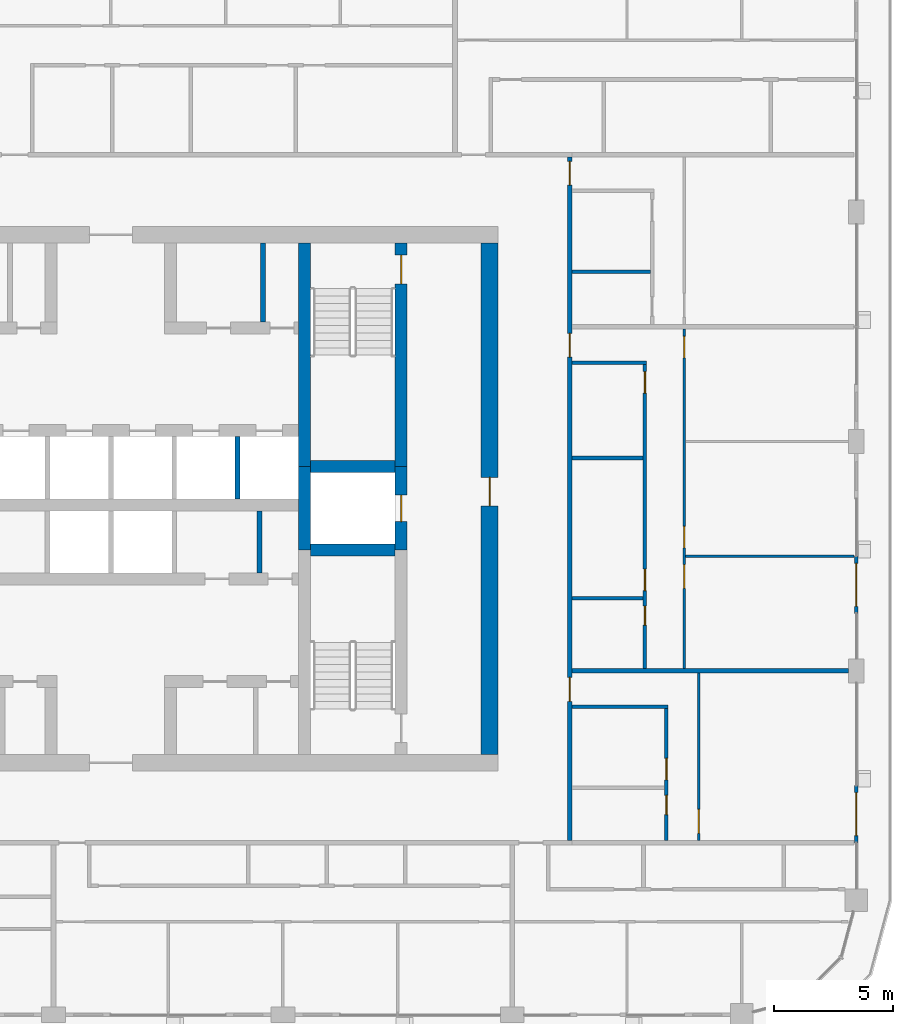
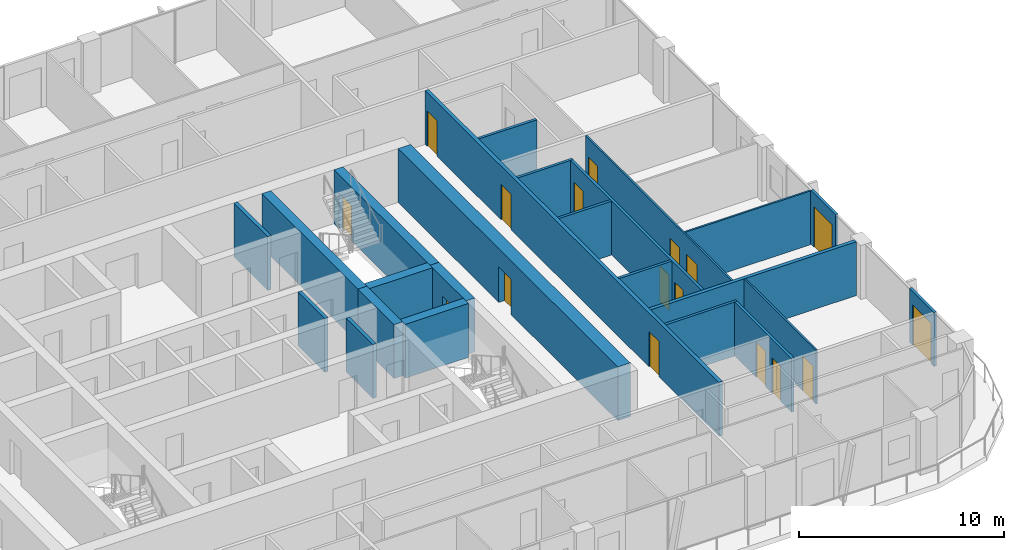
# One storey, part 13 of 23: 24 walls, 17 doors, 17 openings.
"""IFC4 building model written with IfcOpenShell, lengths in metres."""

from ifc_helpers import new_model, si_unit, direction, frame, frame_2d, origin, place, context, subcontext, project, spatial, rectangle, extrude, material, layer, layer_set, type_object, element, fill, save


model = new_model("IFC4")

# Units and contexts
model_context = context("Model", 3, precision=1e-05, world=origin(), true_north=direction((0.0, 1.0)))
body_context = subcontext(model_context, "Body", "Model", "MODEL_VIEW")
ifc_project = project(units=[si_unit("LENGTHUNIT", "METRE"), si_unit("AREAUNIT", "SQUARE_METRE"), si_unit("VOLUMEUNIT", "CUBIC_METRE"), si_unit("PLANEANGLEUNIT", "RADIAN"), si_unit("MASSUNIT", "GRAM", prefix="KILO")], contexts=[model_context])

# Site, building, storey
site_placement = place(None, origin())
site = spatial("IfcSite", under=ifc_project, at=site_placement, CompositionType="ELEMENT")
building_placement = place(site_placement, origin())
building = spatial("IfcBuilding", under=site, at=building_placement, Name="Madar Terraces", CompositionType="ELEMENT")
storey_placement = place(building_placement, frame((0.0, 0.0, 226.300048828125)))
storey = spatial("IfcBuildingStorey", under=building, at=storey_placement, Name="L59", CompositionType="ELEMENT", Elevation=226.300048828125)

# Walls
ifc_material_1 = material(Name="Concrete C60/75", Category="concrete")
ifc_layer_1 = layer(ifc_material_1, 0.5)
ifc_layer_set_1 = layer_set([ifc_layer_1], Name="Concrete C60/75 (CIW4 RC wall 500)")
wall_type_1 = type_object("IfcWallType", Name="CIW4 RC wall 500", PredefinedType="SHEAR", material=ifc_layer_set_1)
wall_1_placement = place(storey_placement, frame((39.300048828125, 24.25, 0.0), z_axis=(0.0, 0.0, 1.0), x_axis=(0.0, 1.0, 0.0)))
element("IfcWall", 1, at=wall_1_placement, inside=storey, type_object=wall_type_1, Name="CORE SHAFT WALL", PredefinedType="SHEAR", context=body_context, shape_type="SweptSolid", body=[
    extrude(rectangle(XDim=3.5, YDim=0.5, at=frame_2d((1.75, 0.0))), origin(), (0.0, 0.0, 1.0), 3.199951171875),
])
wall_2_placement = place(storey_placement, frame((39.300048828125, 27.75, 0.0), z_axis=(0.0, 0.0, 1.0), x_axis=(0.0, 1.0, 0.0)))
element("IfcWall", 2, at=wall_2_placement, inside=storey, type_object=wall_type_1, Name="CORE SHAFT WALL", PredefinedType="SHEAR", context=body_context, shape_type="SweptSolid", body=[
    extrude(rectangle(XDim=9.35009765625, YDim=0.5, at=frame_2d((4.675048828125, 0.0))), origin(), (0.0, 0.0, 1.0), 3.199951171875),
])

# Wall, opening, door
wall_3_placement = place(storey_placement, frame((43.35009765625, 24.25, 0.0), z_axis=(0.0, 0.0, 1.0), x_axis=(0.0, 1.0, 0.0)))
wall_3 = element("IfcWall", 3, at=wall_3_placement, inside=storey, type_object=wall_type_1, Name="CORE SHAFT WALL", PredefinedType="SHEAR", context=body_context, shape_type="SweptSolid", body=[
    extrude(rectangle(XDim=3.5, YDim=0.5, at=frame_2d((1.75, 0.0))), origin(), (0.0, 0.0, 1.0), 3.199951171875),
])
opening_1_placement = place(wall_3_placement, frame((1.199951171875, 0.0, 0.0)))
opening_1 = element("IfcOpeningElement", 4, at=opening_1_placement, cuts=wall_3, Name="Opening LD", PredefinedType="OPENING", context=body_context, shape_type="SweptSolid", body=[
    extrude(rectangle(XDim=1.10009765625, YDim=2.10009765625, at=frame_2d((0.550048828125, 1.050048828125))), frame((0.0, 0.260009765625, 0.0), z_axis=(0.0, -1.0, 0.0), x_axis=(1.0, 0.0, 0.0)), (0.0, 0.0, 1.0), 0.52001953125),
])
ifc_material_2 = material(Name="Stainless steel panel", Category="steel")
door_type_1 = type_object("IfcDoorType", Name="Lift landing door 1100 x 2100", OperationType="DOUBLE_DOOR_SLIDING", PredefinedType="DOOR", material=ifc_material_2)
door_1_placement = place(opening_1_placement, origin())
door_1 = element("IfcDoor", 5, at=door_1_placement, inside=storey, type_object=door_type_1, Name="LIFT LANDING DOOR", OperationType="DOUBLE_DOOR_SLIDING", OverallHeight=2.10009765625, OverallWidth=1.10009765625, PredefinedType="DOOR", context=body_context, shape_type="SweptSolid", body=[
    extrude(rectangle(XDim=1.10009765625, YDim=2.10009765625, at=frame_2d((0.550048828125, 1.050048828125))), frame((0.0, 0.02490234375, 0.0), z_axis=(0.0, -1.0, 0.0), x_axis=(1.0, 0.0, 0.0)), (0.0, 0.0, 1.0), 0.050048828125),
])
fill(opening_1, door_1)

wall_4_placement = place(storey_placement, frame((43.35009765625, 27.75, 0.0), z_axis=(0.0, 0.0, 1.0), x_axis=(0.0, 1.0, 0.0)))
wall_4 = element("IfcWall", 6, at=wall_4_placement, inside=storey, type_object=wall_type_1, Name="CORE SHAFT WALL", PredefinedType="SHEAR", context=body_context, shape_type="SweptSolid", body=[
    extrude(rectangle(XDim=9.35009765625, YDim=0.5, at=frame_2d((4.675048828125, 0.0))), origin(), (0.0, 0.0, 1.0), 3.199951171875),
])
opening_2_placement = place(wall_4_placement, frame((7.64990234375, 0.0, 0.0)))
opening_2 = element("IfcOpeningElement", 7, at=opening_2_placement, cuts=wall_4, Name="Opening SD1", PredefinedType="OPENING", context=body_context, shape_type="SweptSolid", body=[
    extrude(rectangle(XDim=1.199951171875, YDim=2.10009765625, at=frame_2d((0.60009765625, 1.050048828125))), frame((0.0, 0.260009765625, 0.0), z_axis=(0.0, -1.0, 0.0), x_axis=(1.0, 0.0, 0.0)), (0.0, 0.0, 1.0), 0.52001953125),
])
ifc_material_3 = material(Name="Steel door leaf", Category="steel")
door_type_2 = type_object("IfcDoorType", Name="Stair door 1200 x 2100", OperationType="NOTDEFINED", PredefinedType="DOOR", material=ifc_material_3)
door_2_placement = place(opening_2_placement, origin())
door_2 = element("IfcDoor", 8, at=door_2_placement, inside=storey, type_object=door_type_2, Name="STAIR DOOR", OperationType="SINGLE_SWING_LEFT", OverallHeight=2.10009765625, OverallWidth=1.199951171875, PredefinedType="DOOR", context=body_context, shape_type="SweptSolid", body=[
    extrude(rectangle(XDim=1.199951171875, YDim=2.10009765625, at=frame_2d((0.60009765625, 1.050048828125))), frame((0.0, 0.02490234375, 0.0), z_axis=(0.0, -1.0, 0.0), x_axis=(1.0, 0.0, 0.0)), (0.0, 0.0, 1.0), 0.050048828125),
])
fill(opening_2, door_2)

# Walls
for number, where, z_axis, x_axis, name in (
    (9, (39.550048828125, 24.25, 0.0), (0.0, 0.0, 1.0), (1.0, 0.0, 0.0), "CORE SHAFT WALL"),
    (10, (39.550048828125, 27.75, 0.0), (0.0, 0.0, 1.0), (1.0, 0.0, 0.0), "CORE SHAFT WALL"),
):
    element("IfcWall", number, at=place(storey_placement, frame(where, z_axis=z_axis, x_axis=x_axis)), inside=storey, type_object=wall_type_1, Name=name, PredefinedType="SHEAR", context=body_context, shape_type="SweptSolid", body=[
        extrude(rectangle(XDim=3.550048828125, YDim=0.5, at=frame_2d((1.77490234375, 0.0))), origin(), (0.0, 0.0, 1.0), 3.199951171875),
    ])

# Wall, opening, door
ifc_material_4 = material(Name="Concrete C60/75", Category="concrete")
ifc_layer_2 = layer(ifc_material_4, 0.699951171875)
ifc_layer_set_2 = layer_set([ifc_layer_2], Name="Concrete C60/75 (CRW4 RC wall 700)")
wall_type_2 = type_object("IfcWallType", Name="CRW4 RC wall 700", PredefinedType="SHEAR", material=ifc_layer_set_2)
wall_5_placement = place(storey_placement, frame((47.050048828125, 15.699951171875, 0.0), z_axis=(0.0, 0.0, 1.0), x_axis=(0.0, 1.0, 0.0)))
wall_5 = element("IfcWall", 11, at=wall_5_placement, inside=storey, type_object=wall_type_2, Name="CORE OUTER WALL", PredefinedType="SHEAR", context=body_context, shape_type="SweptSolid", body=[
    extrude(rectangle(XDim=21.400146484375, YDim=0.699951171875, at=frame_2d((10.7001953125, 0.0))), origin(), (0.0, 0.0, 1.0), 3.199951171875),
])
opening_3_placement = place(wall_5_placement, frame((10.39990234375, 0.0, 0.0)))
opening_3 = element("IfcOpeningElement", 12, at=opening_3_placement, cuts=wall_5, Name="Opening SD1", PredefinedType="OPENING", context=body_context, shape_type="SweptSolid", body=[
    extrude(rectangle(XDim=1.199951171875, YDim=2.10009765625, at=frame_2d((0.60009765625, 1.050048828125))), frame((0.0, 0.35986328125, 0.0), z_axis=(0.0, -1.0, 0.0), x_axis=(1.0, 0.0, 0.0)), (0.0, 0.0, 1.0), 0.719970703125),
])
door_3_placement = place(opening_3_placement, origin())
door_3 = element("IfcDoor", 13, at=door_3_placement, inside=storey, type_object=door_type_2, Name="STAIR DOOR", OperationType="SINGLE_SWING_LEFT", OverallHeight=2.10009765625, OverallWidth=1.199951171875, PredefinedType="DOOR", context=body_context, shape_type="SweptSolid", body=[
    extrude(rectangle(XDim=1.199951171875, YDim=2.10009765625, at=frame_2d((0.60009765625, 1.050048828125))), frame((0.0, 0.02490234375, 0.0), z_axis=(0.0, -1.0, 0.0), x_axis=(1.0, 0.0, 0.0)), (0.0, 0.0, 1.0), 0.050048828125),
])
fill(opening_3, door_3)

# Walls
ifc_material_5 = material(Name="Masonry blockwork", Category="masonry")
ifc_layer_3 = layer(ifc_material_5, 0.199951171875)
ifc_layer_set_3 = layer_set([ifc_layer_3], Name="Core partition 200 blockwork")
wall_type_3 = type_object("IfcWallType", Name="Core partition 200 blockwork", PredefinedType="PARTITIONING", material=ifc_layer_set_3)
wall_6_placement = place(storey_placement, frame((37.41796875, 23.300048828125, 0.0), z_axis=(0.0, 0.0, 1.0), x_axis=(0.0, 1.0, 0.0)))
element("IfcWall", 14, at=wall_6_placement, inside=storey, type_object=wall_type_3, Name="SERVICE ROOM PARTITION", PredefinedType="PARTITIONING", context=body_context, shape_type="SweptSolid", body=[
    extrude(rectangle(XDim=2.599853515625, YDim=0.199951171875, at=frame_2d((1.2998046875, 0.0))), origin(), (0.0, 0.0, 1.0), 3.199951171875),
])
wall_7_placement = place(storey_placement, frame((37.571044921875, 33.800048828125, 0.0), z_axis=(0.0, 0.0, 1.0), x_axis=(0.0, 1.0, 0.0)))
element("IfcWall", 15, at=wall_7_placement, inside=storey, type_object=wall_type_3, Name="SERVICE ROOM PARTITION", PredefinedType="PARTITIONING", context=body_context, shape_type="SweptSolid", body=[
    extrude(rectangle(XDim=3.300048828125, YDim=0.199951171875, at=frame_2d((1.64990234375, 0.0))), origin(), (0.0, 0.0, 1.0), 3.199951171875),
])
ifc_material_6 = material(Name="Concrete C40/50", Category="concrete")
ifc_layer_4 = layer(ifc_material_6, 0.199951171875)
ifc_layer_set_4 = layer_set([ifc_layer_4], Name="Core shaft dividing wall 200 C40/50")
wall_type_4 = type_object("IfcWallType", Name="Core shaft dividing wall 200 C40/50", PredefinedType="SOLIDWALL", material=ifc_layer_set_4)
wall_8_placement = place(storey_placement, frame((36.5, 26.39990234375, 0.0), z_axis=(0.0, 0.0, 1.0), x_axis=(0.0, 1.0, 0.0)))
element("IfcWall", 16, at=wall_8_placement, inside=storey, type_object=wall_type_4, Name="SHAFT DIVIDING WALL", PredefinedType="SOLIDWALL", context=body_context, shape_type="SweptSolid", body=[
    extrude(rectangle(XDim=2.60009765625, YDim=0.199951171875, at=frame_2d((1.300048828125, 0.0))), origin(), (0.0, 0.0, 1.0), 3.199951171875),
])

# Wall, opening, door
ifc_material_7 = material(Name="Aluminium composite panel, black, over insulated backing", Category="aluminium")
ifc_layer_5 = layer(ifc_material_7, 0.14990234375)
ifc_layer_set_5 = layer_set([ifc_layer_5], Name="Facade bay panel 150")
wall_type_5 = type_object("IfcWallType", Name="Facade bay panel 150", PredefinedType="SOLIDWALL", material=ifc_layer_set_5)
wall_9_placement = place(storey_placement, frame((62.39990234375, 12.0, 0.0), z_axis=(0.0, 0.0, 1.0), x_axis=(0.0, 1.0, 0.0)))
wall_9 = element("IfcWall", 17, at=wall_9_placement, inside=storey, type_object=wall_type_5, Name="Facade bay panel", PredefinedType="SOLIDWALL", context=body_context, shape_type="SweptSolid", body=[
    extrude(rectangle(XDim=2.39990234375, YDim=0.14990234375, at=frame_2d((1.199951171875, 0.0))), origin(), (0.0, 0.0, 1.0), 3.199951171875),
])
opening_4_placement = place(wall_9_placement, frame((0.300048828125, 0.0, 0.0)))
opening_4 = element("IfcOpeningElement", 18, at=opening_4_placement, cuts=wall_9, Name="Opening ED1", PredefinedType="OPENING", context=body_context, shape_type="SweptSolid", body=[
    extrude(rectangle(XDim=1.800048828125, YDim=2.39990234375, at=frame_2d((0.89990234375, 1.199951171875))), frame((0.0, 0.0849609375, 0.0), z_axis=(0.0, -1.0, 0.0), x_axis=(1.0, 0.0, 0.0)), (0.0, 0.0, 1.0), 0.169921875),
])
ifc_material_8 = material(Name="Glass, clear, with black aluminium frame", Category="aluminium")
door_type_3 = type_object("IfcDoorType", Name="Balcony and terrace sliding door 1800 x 2400", OperationType="SLIDING_TO_LEFT", PredefinedType="DOOR", material=ifc_material_8)
door_4_placement = place(opening_4_placement, origin())
door_4 = element("IfcDoor", 19, at=door_4_placement, inside=storey, type_object=door_type_3, Name="Balcony door", OperationType="SLIDING_TO_LEFT", OverallHeight=2.39990234375, OverallWidth=1.800048828125, PredefinedType="DOOR", context=body_context, shape_type="SweptSolid", body=[
    extrude(rectangle(XDim=1.800048828125, YDim=2.39990234375, at=frame_2d((0.89990234375, 1.199951171875))), frame((0.0, 0.02490234375, 0.0), z_axis=(0.0, -1.0, 0.0), x_axis=(1.0, 0.0, 0.0)), (0.0, 0.0, 1.0), 0.050048828125),
])
fill(opening_4, door_4)

wall_10_placement = place(storey_placement, frame((62.39990234375, 21.60009765625, 0.0), z_axis=(0.0, 0.0, 1.0), x_axis=(0.0, 1.0, 0.0)))
wall_10 = element("IfcWall", 20, at=wall_10_placement, inside=storey, type_object=wall_type_5, Name="Facade bay panel", PredefinedType="SOLIDWALL", context=body_context, shape_type="SweptSolid", body=[
    extrude(rectangle(XDim=2.39990234375, YDim=0.14990234375, at=frame_2d((1.199951171875, 0.0))), origin(), (0.0, 0.0, 1.0), 3.199951171875),
])
opening_5_placement = place(wall_10_placement, frame((0.300048828125, 0.0, 0.0)))
opening_5 = element("IfcOpeningElement", 21, at=opening_5_placement, cuts=wall_10, Name="Opening ED1", PredefinedType="OPENING", context=body_context, shape_type="SweptSolid", body=[
    extrude(rectangle(XDim=1.800048828125, YDim=2.39990234375, at=frame_2d((0.89990234375, 1.199951171875))), frame((0.0, 0.0849609375, 0.0), z_axis=(0.0, -1.0, 0.0), x_axis=(1.0, 0.0, 0.0)), (0.0, 0.0, 1.0), 0.169921875),
])
door_5_placement = place(opening_5_placement, origin())
door_5 = element("IfcDoor", 22, at=door_5_placement, inside=storey, type_object=door_type_3, Name="Balcony door", OperationType="SLIDING_TO_RIGHT", OverallHeight=2.39990234375, OverallWidth=1.800048828125, PredefinedType="DOOR", context=body_context, shape_type="SweptSolid", body=[
    extrude(rectangle(XDim=1.800048828125, YDim=2.39990234375, at=frame_2d((0.89990234375, 1.199951171875))), frame((0.0, 0.02490234375, 0.0), z_axis=(0.0, -1.0, 0.0), x_axis=(1.0, 0.0, 0.0)), (0.0, 0.0, 1.0), 0.050048828125),
])
fill(opening_5, door_5)

ifc_material_9 = material(Name="Gypsum board on steel studs", Category="steel")
ifc_layer_6 = layer(ifc_material_9, 0.10009765625)
ifc_layer_set_6 = layer_set([ifc_layer_6], Name="Flat partition 100")
wall_type_6 = type_object("IfcWallType", Name="Flat partition 100", PredefinedType="PARTITIONING", material=ifc_layer_set_6)
wall_11_placement = place(storey_placement, frame((55.800048828125, 19.10009765625, 0.0), z_axis=(0.0, 0.0, 1.0), x_axis=(0.0, -1.0, 0.0)))
wall_11 = element("IfcWall", 23, at=wall_11_placement, inside=storey, type_object=wall_type_6, Name="Flat partition 100", PredefinedType="PARTITIONING", context=body_context, shape_type="SweptSolid", body=[
    extrude(rectangle(XDim=7.0, YDim=0.10009765625, at=frame_2d((3.5, 0.0))), origin(), (0.0, 0.0, 1.0), 3.199951171875),
])
opening_6_placement = place(wall_11_placement, frame((5.699951171875, 0.0, 0.0)))
opening_6 = element("IfcOpeningElement", 24, at=opening_6_placement, cuts=wall_11, Name="Opening D3", PredefinedType="OPENING", context=body_context, shape_type="SweptSolid", body=[
    extrude(rectangle(XDim=1.0, YDim=2.10009765625, at=frame_2d((0.5, 1.050048828125))), frame((0.0, 0.06005859375, 0.0), z_axis=(0.0, -1.0, 0.0), x_axis=(1.0, 0.0, 0.0)), (0.0, 0.0, 1.0), 0.1201171875),
])
ifc_material_10 = material(Name="Timber door leaf", Category="wood")
door_type_4 = type_object("IfcDoorType", Name="Flat living room door 1000", OperationType="NOTDEFINED", PredefinedType="DOOR", material=ifc_material_10)
door_6_placement = place(opening_6_placement, origin())
door_6 = element("IfcDoor", 25, at=door_6_placement, inside=storey, type_object=door_type_4, Name="Flat living room door 1000", OperationType="SINGLE_SWING_RIGHT", OverallHeight=2.10009765625, OverallWidth=1.0, PredefinedType="DOOR", context=body_context, shape_type="SweptSolid", body=[
    extrude(rectangle(XDim=1.0, YDim=2.10009765625, at=frame_2d((0.5, 1.050048828125))), frame((0.0, 0.02490234375, 0.0), z_axis=(0.0, -1.0, 0.0), x_axis=(1.0, 0.0, 0.0)), (0.0, 0.0, 1.0), 0.050048828125),
])
fill(opening_6, door_6)

# Wall
wall_12_placement = place(storey_placement, frame((55.25, 24.0, 0.0), z_axis=(0.0, 0.0, 1.0), x_axis=(1.0, 0.0, 0.0)))
element("IfcWall", 26, at=wall_12_placement, inside=storey, type_object=wall_type_6, Name="Flat partition 100", PredefinedType="PARTITIONING", context=body_context, shape_type="SweptSolid", body=[
    extrude(rectangle(XDim=7.050048828125, YDim=0.10009765625, at=frame_2d((3.52490234375, 0.0))), origin(), (0.0, 0.0, 1.0), 3.199951171875),
])

# Wall, openings, doors
wall_13_placement = place(storey_placement, frame((55.199951171875, 33.5, 0.0), z_axis=(0.0, 0.0, 1.0), x_axis=(0.0, -1.0, 0.0)))
wall_13 = element("IfcWall", 27, at=wall_13_placement, inside=storey, type_object=wall_type_6, Name="Flat partition 100", PredefinedType="PARTITIONING", context=body_context, shape_type="SweptSolid", body=[
    extrude(rectangle(XDim=14.199951171875, YDim=0.10009765625, at=frame_2d((7.10009765625, 0.0))), origin(), (0.0, 0.0, 1.0), 3.199951171875),
])
opening_7_placement = place(wall_13_placement, frame((0.300048828125, 0.0, 0.0)))
opening_7 = element("IfcOpeningElement", 28, at=opening_7_placement, cuts=wall_13, Name="Opening D2", PredefinedType="OPENING", context=body_context, shape_type="SweptSolid", body=[
    extrude(rectangle(XDim=0.89990234375, YDim=2.10009765625, at=frame_2d((0.449951171875, 1.050048828125))), frame((0.0, 0.06005859375, 0.0), z_axis=(0.0, -1.0, 0.0), x_axis=(1.0, 0.0, 0.0)), (0.0, 0.0, 1.0), 0.1201171875),
])
opening_8_placement = place(wall_13_placement, frame((8.25, 0.0, 0.0)))
opening_8 = element("IfcOpeningElement", 29, at=opening_8_placement, cuts=wall_13, Name="Opening D2", PredefinedType="OPENING", context=body_context, shape_type="SweptSolid", body=[
    extrude(rectangle(XDim=0.89990234375, YDim=2.10009765625, at=frame_2d((0.449951171875, 1.050048828125))), frame((0.0, 0.06005859375, 0.0), z_axis=(0.0, -1.0, 0.0), x_axis=(1.0, 0.0, 0.0)), (0.0, 0.0, 1.0), 0.1201171875),
])
opening_9_placement = place(wall_13_placement, frame((9.85009765625, 0.0, 0.0)))
opening_9 = element("IfcOpeningElement", 30, at=opening_9_placement, cuts=wall_13, Name="Opening D3", PredefinedType="OPENING", context=body_context, shape_type="SweptSolid", body=[
    extrude(rectangle(XDim=1.0, YDim=2.10009765625, at=frame_2d((0.5, 1.050048828125))), frame((0.0, 0.06005859375, 0.0), z_axis=(0.0, -1.0, 0.0), x_axis=(1.0, 0.0, 0.0)), (0.0, 0.0, 1.0), 0.1201171875),
])
door_7_placement = place(opening_9_placement, origin())
door_7 = element("IfcDoor", 31, at=door_7_placement, inside=storey, type_object=door_type_4, Name="Flat living room door 1000", OperationType="SINGLE_SWING_LEFT", OverallHeight=2.10009765625, OverallWidth=1.0, PredefinedType="DOOR", context=body_context, shape_type="SweptSolid", body=[
    extrude(rectangle(XDim=1.0, YDim=2.10009765625, at=frame_2d((0.5, 1.050048828125))), frame((0.0, 0.02490234375, 0.0), z_axis=(0.0, -1.0, 0.0), x_axis=(1.0, 0.0, 0.0)), (0.0, 0.0, 1.0), 0.050048828125),
])
fill(opening_9, door_7)
ifc_material_11 = material(Name="Timber door leaf", Category="wood")
door_type_5 = type_object("IfcDoorType", Name="Flat room door 900", OperationType="NOTDEFINED", PredefinedType="DOOR", material=ifc_material_11)
door_8_placement = place(opening_7_placement, origin())
door_8 = element("IfcDoor", 32, at=door_8_placement, inside=storey, type_object=door_type_5, Name="Flat room door 900", OperationType="SINGLE_SWING_LEFT", OverallHeight=2.10009765625, OverallWidth=0.89990234375, PredefinedType="DOOR", context=body_context, shape_type="SweptSolid", body=[
    extrude(rectangle(XDim=0.89990234375, YDim=2.10009765625, at=frame_2d((0.449951171875, 1.050048828125))), frame((0.0, 0.02490234375, 0.0), z_axis=(0.0, -1.0, 0.0), x_axis=(1.0, 0.0, 0.0)), (0.0, 0.0, 1.0), 0.050048828125),
])
fill(opening_7, door_8)
door_9_placement = place(opening_8_placement, origin())
door_9 = element("IfcDoor", 33, at=door_9_placement, inside=storey, type_object=door_type_5, Name="Flat room door 900", OperationType="SINGLE_SWING_RIGHT", OverallHeight=2.10009765625, OverallWidth=0.89990234375, PredefinedType="DOOR", context=body_context, shape_type="SweptSolid", body=[
    extrude(rectangle(XDim=0.89990234375, YDim=2.10009765625, at=frame_2d((0.449951171875, 1.050048828125))), frame((0.0, 0.02490234375, 0.0), z_axis=(0.0, -1.0, 0.0), x_axis=(1.0, 0.0, 0.0)), (0.0, 0.0, 1.0), 0.050048828125),
])
fill(opening_8, door_9)

ifc_material_12 = material(Name="Lightweight blockwork", Category="masonry")
ifc_layer_7 = layer(ifc_material_12, 0.199951171875)
ifc_layer_set_7 = layer_set([ifc_layer_7], Name="Flat party and entrance wall 200")
wall_type_7 = type_object("IfcWallType", Name="Flat party and entrance wall 200", PredefinedType="PARTITIONING", material=ifc_layer_set_7)
wall_14_placement = place(storey_placement, frame((50.39990234375, 40.699951171875, 0.0), z_axis=(0.0, 0.0, 1.0), x_axis=(0.0, -1.0, 0.0)))
wall_14 = element("IfcWall", 34, at=wall_14_placement, inside=storey, type_object=wall_type_7, Name="Flat party and entrance wall 200", PredefinedType="PARTITIONING", context=body_context, shape_type="SweptSolid", body=[
    extrude(rectangle(XDim=28.599853515625, YDim=0.199951171875, at=frame_2d((14.2998046875, 0.0))), origin(), (0.0, 0.0, 1.0), 3.199951171875),
])
opening_10_placement = place(wall_14_placement, frame((21.77490234375, 0.0, 0.0)))
opening_10 = element("IfcOpeningElement", 35, at=opening_10_placement, cuts=wall_14, Name="Opening D1", PredefinedType="OPENING", context=body_context, shape_type="SweptSolid", body=[
    extrude(rectangle(XDim=1.0, YDim=2.10009765625, at=frame_2d((0.5, 1.050048828125))), frame((0.0, 0.10986328125, 0.0), z_axis=(0.0, -1.0, 0.0), x_axis=(1.0, 0.0, 0.0)), (0.0, 0.0, 1.0), 0.219970703125),
])
opening_11_placement = place(wall_14_placement, frame((7.375, 0.0, 0.0)))
opening_11 = element("IfcOpeningElement", 36, at=opening_11_placement, cuts=wall_14, Name="Opening D1", PredefinedType="OPENING", context=body_context, shape_type="SweptSolid", body=[
    extrude(rectangle(XDim=1.0, YDim=2.10009765625, at=frame_2d((0.5, 1.050048828125))), frame((0.0, 0.10986328125, 0.0), z_axis=(0.0, -1.0, 0.0), x_axis=(1.0, 0.0, 0.0)), (0.0, 0.0, 1.0), 0.219970703125),
])
opening_12_placement = place(wall_14_placement, frame((0.175048828125, 0.0, 0.0)))
opening_12 = element("IfcOpeningElement", 37, at=opening_12_placement, cuts=wall_14, Name="Opening D1", PredefinedType="OPENING", context=body_context, shape_type="SweptSolid", body=[
    extrude(rectangle(XDim=1.0, YDim=2.10009765625, at=frame_2d((0.5, 1.050048828125))), frame((0.0, 0.10986328125, 0.0), z_axis=(0.0, -1.0, 0.0), x_axis=(1.0, 0.0, 0.0)), (0.0, 0.0, 1.0), 0.219970703125),
])
ifc_material_13 = material(Name="Timber fire door leaf", Category="wood")
door_type_6 = type_object("IfcDoorType", Name="Flat entrance door 1000 FD30S", OperationType="NOTDEFINED", PredefinedType="DOOR", material=ifc_material_13)
door_10_placement = place(opening_10_placement, origin())
door_10 = element("IfcDoor", 38, at=door_10_placement, inside=storey, type_object=door_type_6, Name="Flat entrance door 1000 FD30S", OperationType="SINGLE_SWING_LEFT", OverallHeight=2.10009765625, OverallWidth=1.0, PredefinedType="DOOR", context=body_context, shape_type="SweptSolid", body=[
    extrude(rectangle(XDim=1.0, YDim=2.10009765625, at=frame_2d((0.5, 1.050048828125))), frame((0.0, 0.02490234375, 0.0), z_axis=(0.0, -1.0, 0.0), x_axis=(1.0, 0.0, 0.0)), (0.0, 0.0, 1.0), 0.050048828125),
])
fill(opening_10, door_10)
door_11_placement = place(opening_11_placement, origin())
door_11 = element("IfcDoor", 39, at=door_11_placement, inside=storey, type_object=door_type_6, Name="Flat entrance door 1000 FD30S", OperationType="SINGLE_SWING_LEFT", OverallHeight=2.10009765625, OverallWidth=1.0, PredefinedType="DOOR", context=body_context, shape_type="SweptSolid", body=[
    extrude(rectangle(XDim=1.0, YDim=2.10009765625, at=frame_2d((0.5, 1.050048828125))), frame((0.0, 0.02490234375, 0.0), z_axis=(0.0, -1.0, 0.0), x_axis=(1.0, 0.0, 0.0)), (0.0, 0.0, 1.0), 0.050048828125),
])
fill(opening_11, door_11)
door_12_placement = place(opening_12_placement, origin())
door_12 = element("IfcDoor", 40, at=door_12_placement, inside=storey, type_object=door_type_6, Name="Flat entrance door 1000 FD30S", OperationType="SINGLE_SWING_LEFT", OverallHeight=2.10009765625, OverallWidth=1.0, PredefinedType="DOOR", context=body_context, shape_type="SweptSolid", body=[
    extrude(rectangle(XDim=1.0, YDim=2.10009765625, at=frame_2d((0.5, 1.050048828125))), frame((0.0, 0.02490234375, 0.0), z_axis=(0.0, -1.0, 0.0), x_axis=(1.0, 0.0, 0.0)), (0.0, 0.0, 1.0), 0.050048828125),
])
fill(opening_12, door_12)

# Walls
wall_15_placement = place(storey_placement, frame((50.5, 19.199951171875, 0.0), z_axis=(0.0, 0.0, 1.0), x_axis=(1.0, 0.0, 0.0)))
element("IfcWall", 41, at=wall_15_placement, inside=storey, type_object=wall_type_7, Name="Flat party and entrance wall 200", PredefinedType="PARTITIONING", context=body_context, shape_type="SweptSolid", body=[
    extrude(rectangle(XDim=11.574951171875, YDim=0.199951171875, at=frame_2d((5.78759765625, 0.0))), origin(), (0.0, 0.0, 1.0), 3.199951171875),
])
ifc_material_14 = material(Name="Lightweight blockwork", Category="masonry")
ifc_layer_8 = layer(ifc_material_14, 0.14990234375)
ifc_layer_set_8 = layer_set([ifc_layer_8], Name="Flat wet-room partition 150")
wall_type_8 = type_object("IfcWallType", Name="Flat wet-room partition 150", PredefinedType="PARTITIONING", material=ifc_layer_set_8)
wall_16_placement = place(storey_placement, frame((50.5, 17.699951171875, 0.0), z_axis=(0.0, 0.0, 1.0), x_axis=(1.0, 0.0, 0.0)))
element("IfcWall", 42, at=wall_16_placement, inside=storey, type_object=wall_type_8, Name="Flat wet-room partition 150", PredefinedType="PARTITIONING", context=body_context, shape_type="SweptSolid", body=[
    extrude(rectangle(XDim=4.02490234375, YDim=0.14990234375, at=frame_2d((2.012451171875, 0.0))), origin(), (0.0, 0.0, 1.0), 3.199951171875),
])

# Wall, openings, doors
wall_17_placement = place(storey_placement, frame((54.449951171875, 12.10009765625, 0.0), z_axis=(0.0, 0.0, 1.0), x_axis=(0.0, 1.0, 0.0)))
wall_17 = element("IfcWall", 43, at=wall_17_placement, inside=storey, type_object=wall_type_8, Name="Flat wet-room partition 150", PredefinedType="PARTITIONING", context=body_context, shape_type="SweptSolid", body=[
    extrude(rectangle(XDim=5.52490234375, YDim=0.14990234375, at=frame_2d((2.762451171875, 0.0))), origin(), (0.0, 0.0, 1.0), 3.199951171875),
])
opening_13_placement = place(wall_17_placement, frame((2.534912109375, 0.0, 0.0)))
opening_13 = element("IfcOpeningElement", 44, at=opening_13_placement, cuts=wall_17, Name="Opening D2", PredefinedType="OPENING", context=body_context, shape_type="SweptSolid", body=[
    extrude(rectangle(XDim=0.89990234375, YDim=2.10009765625, at=frame_2d((0.449951171875, 1.050048828125))), frame((0.0, 0.0849609375, 0.0), z_axis=(0.0, -1.0, 0.0), x_axis=(1.0, 0.0, 0.0)), (0.0, 0.0, 1.0), 0.169921875),
])
opening_14_placement = place(wall_17_placement, frame((1.0849609375, 0.0, 0.0)))
opening_14 = element("IfcOpeningElement", 45, at=opening_14_placement, cuts=wall_17, Name="Opening D4", PredefinedType="OPENING", context=body_context, shape_type="SweptSolid", body=[
    extrude(rectangle(XDim=0.800048828125, YDim=2.10009765625, at=frame_2d((0.39990234375, 1.050048828125))), frame((0.0, 0.0849609375, 0.0), z_axis=(0.0, -1.0, 0.0), x_axis=(1.0, 0.0, 0.0)), (0.0, 0.0, 1.0), 0.169921875),
])
ifc_material_15 = material(Name="Timber door leaf", Category="wood")
door_type_7 = type_object("IfcDoorType", Name="Flat bathroom door 800", OperationType="NOTDEFINED", PredefinedType="DOOR", material=ifc_material_15)
door_13_placement = place(opening_14_placement, origin())
door_13 = element("IfcDoor", 46, at=door_13_placement, inside=storey, type_object=door_type_7, Name="Flat bathroom door 800", OperationType="SINGLE_SWING_RIGHT", OverallHeight=2.10009765625, OverallWidth=0.800048828125, PredefinedType="DOOR", context=body_context, shape_type="SweptSolid", body=[
    extrude(rectangle(XDim=0.800048828125, YDim=2.10009765625, at=frame_2d((0.39990234375, 1.050048828125))), frame((0.0, 0.02490234375, 0.0), z_axis=(0.0, -1.0, 0.0), x_axis=(1.0, 0.0, 0.0)), (0.0, 0.0, 1.0), 0.050048828125),
])
fill(opening_14, door_13)
door_14_placement = place(opening_13_placement, origin())
door_14 = element("IfcDoor", 47, at=door_14_placement, inside=storey, type_object=door_type_5, Name="Flat room door 900", OperationType="SINGLE_SWING_LEFT", OverallHeight=2.10009765625, OverallWidth=0.89990234375, PredefinedType="DOOR", context=body_context, shape_type="SweptSolid", body=[
    extrude(rectangle(XDim=0.89990234375, YDim=2.10009765625, at=frame_2d((0.449951171875, 1.050048828125))), frame((0.0, 0.02490234375, 0.0), z_axis=(0.0, -1.0, 0.0), x_axis=(1.0, 0.0, 0.0)), (0.0, 0.0, 1.0), 0.050048828125),
])
fill(opening_13, door_14)

# Walls
for number, where, z_axis, x_axis, name in (
    (48, (50.5, 28.109619140625, 0.0), (0.0, 0.0, 1.0), (1.0, 0.0, 0.0), "Flat wet-room partition 150"),
    (49, (50.5, 22.236572265625, 0.0), (0.0, 0.0, 1.0), (1.0, 0.0, 0.0), "Flat wet-room partition 150"),
):
    element("IfcWall", number, at=place(storey_placement, frame(where, z_axis=z_axis, x_axis=x_axis)), inside=storey, type_object=wall_type_8, Name=name, PredefinedType="PARTITIONING", context=body_context, shape_type="SweptSolid", body=[
        extrude(rectangle(XDim=2.97509765625, YDim=0.14990234375, at=frame_2d((1.487548828125, 0.0))), origin(), (0.0, 0.0, 1.0), 3.199951171875),
    ])
wall_18_placement = place(storey_placement, frame((50.5, 32.10009765625, 0.0), z_axis=(0.0, 0.0, 1.0), x_axis=(1.0, 0.0, 0.0)))
element("IfcWall", 50, at=wall_18_placement, inside=storey, type_object=wall_type_8, Name="Flat wet-room partition 150", PredefinedType="PARTITIONING", context=body_context, shape_type="SweptSolid", body=[
    extrude(rectangle(XDim=3.125, YDim=0.14990234375, at=frame_2d((1.5625, 0.0))), origin(), (0.0, 0.0, 1.0), 3.199951171875),
])

# Wall, openings, doors
wall_19_placement = place(storey_placement, frame((53.550048828125, 19.300048828125, 0.0), z_axis=(0.0, 0.0, 1.0), x_axis=(0.0, 1.0, 0.0)))
wall_19 = element("IfcWall", 51, at=wall_19_placement, inside=storey, type_object=wall_type_8, Name="Flat wet-room partition 150", PredefinedType="PARTITIONING", context=body_context, shape_type="SweptSolid", body=[
    extrude(rectangle(XDim=12.724853515625, YDim=0.14990234375, at=frame_2d((6.3623046875, 0.0))), origin(), (0.0, 0.0, 1.0), 3.199951171875),
])
opening_15_placement = place(wall_19_placement, frame((11.52490234375, 0.0, 0.0)))
opening_15 = element("IfcOpeningElement", 52, at=opening_15_placement, cuts=wall_19, Name="Opening D5", PredefinedType="OPENING", context=body_context, shape_type="SweptSolid", body=[
    extrude(rectangle(XDim=0.89990234375, YDim=2.10009765625, at=frame_2d((0.449951171875, 1.050048828125))), frame((0.0, 0.0849609375, 0.0), z_axis=(0.0, -1.0, 0.0), x_axis=(1.0, 0.0, 0.0)), (0.0, 0.0, 1.0), 0.169921875),
])
opening_16_placement = place(wall_19_placement, frame((3.261474609375, 0.0, 0.0)))
opening_16 = element("IfcOpeningElement", 53, at=opening_16_placement, cuts=wall_19, Name="Opening D2", PredefinedType="OPENING", context=body_context, shape_type="SweptSolid", body=[
    extrude(rectangle(XDim=0.89990234375, YDim=2.10009765625, at=frame_2d((0.449951171875, 1.050048828125))), frame((0.0, 0.0849609375, 0.0), z_axis=(0.0, -1.0, 0.0), x_axis=(1.0, 0.0, 0.0)), (0.0, 0.0, 1.0), 0.169921875),
])
opening_17_placement = place(wall_19_placement, frame((1.8115234375, 0.0, 0.0)))
opening_17 = element("IfcOpeningElement", 54, at=opening_17_placement, cuts=wall_19, Name="Opening D4", PredefinedType="OPENING", context=body_context, shape_type="SweptSolid", body=[
    extrude(rectangle(XDim=0.800048828125, YDim=2.10009765625, at=frame_2d((0.39990234375, 1.050048828125))), frame((0.0, 0.0849609375, 0.0), z_axis=(0.0, -1.0, 0.0), x_axis=(1.0, 0.0, 0.0)), (0.0, 0.0, 1.0), 0.169921875),
])
ifc_material_16 = material(Name="Timber door leaf", Category="wood")
door_type_8 = type_object("IfcDoorType", Name="Flat accessible bathroom door 900", OperationType="NOTDEFINED", PredefinedType="DOOR", material=ifc_material_16)
door_15_placement = place(opening_15_placement, origin())
door_15 = element("IfcDoor", 55, at=door_15_placement, inside=storey, type_object=door_type_8, Name="Flat accessible bathroom door 900", OperationType="SINGLE_SWING_RIGHT", OverallHeight=2.10009765625, OverallWidth=0.89990234375, PredefinedType="DOOR", context=body_context, shape_type="SweptSolid", body=[
    extrude(rectangle(XDim=0.89990234375, YDim=2.10009765625, at=frame_2d((0.449951171875, 1.050048828125))), frame((0.0, 0.02490234375, 0.0), z_axis=(0.0, -1.0, 0.0), x_axis=(1.0, 0.0, 0.0)), (0.0, 0.0, 1.0), 0.050048828125),
])
fill(opening_15, door_15)
door_16_placement = place(opening_17_placement, origin())
door_16 = element("IfcDoor", 56, at=door_16_placement, inside=storey, type_object=door_type_7, Name="Flat bathroom door 800", OperationType="SINGLE_SWING_RIGHT", OverallHeight=2.10009765625, OverallWidth=0.800048828125, PredefinedType="DOOR", context=body_context, shape_type="SweptSolid", body=[
    extrude(rectangle(XDim=0.800048828125, YDim=2.10009765625, at=frame_2d((0.39990234375, 1.050048828125))), frame((0.0, 0.02490234375, 0.0), z_axis=(0.0, -1.0, 0.0), x_axis=(1.0, 0.0, 0.0)), (0.0, 0.0, 1.0), 0.050048828125),
])
fill(opening_17, door_16)
door_17_placement = place(opening_16_placement, origin())
door_17 = element("IfcDoor", 57, at=door_17_placement, inside=storey, type_object=door_type_5, Name="Flat room door 900", OperationType="SINGLE_SWING_LEFT", OverallHeight=2.10009765625, OverallWidth=0.89990234375, PredefinedType="DOOR", context=body_context, shape_type="SweptSolid", body=[
    extrude(rectangle(XDim=0.89990234375, YDim=2.10009765625, at=frame_2d((0.449951171875, 1.050048828125))), frame((0.0, 0.02490234375, 0.0), z_axis=(0.0, -1.0, 0.0), x_axis=(1.0, 0.0, 0.0)), (0.0, 0.0, 1.0), 0.050048828125),
])
fill(opening_16, door_17)

# Wall
wall_20_placement = place(storey_placement, frame((50.5, 35.909912109375, 0.0), z_axis=(0.0, 0.0, 1.0), x_axis=(1.0, 0.0, 0.0)))
element("IfcWall", 58, at=wall_20_placement, inside=storey, type_object=wall_type_8, Name="Flat wet-room partition 150", PredefinedType="PARTITIONING", context=body_context, shape_type="SweptSolid", body=[
    extrude(rectangle(XDim=3.27490234375, YDim=0.14990234375, at=frame_2d((1.637451171875, 0.0))), origin(), (0.0, 0.0, 1.0), 3.199951171875),
])

save(model, "model.ifc")
